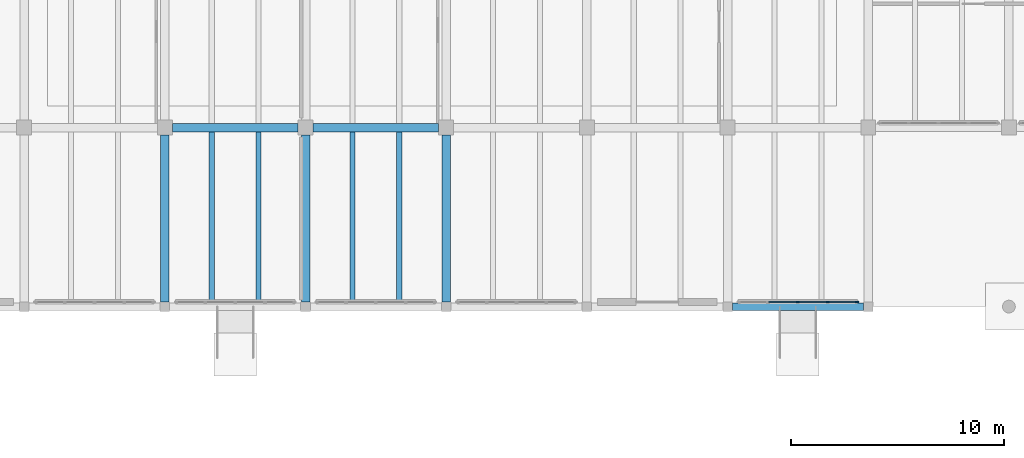
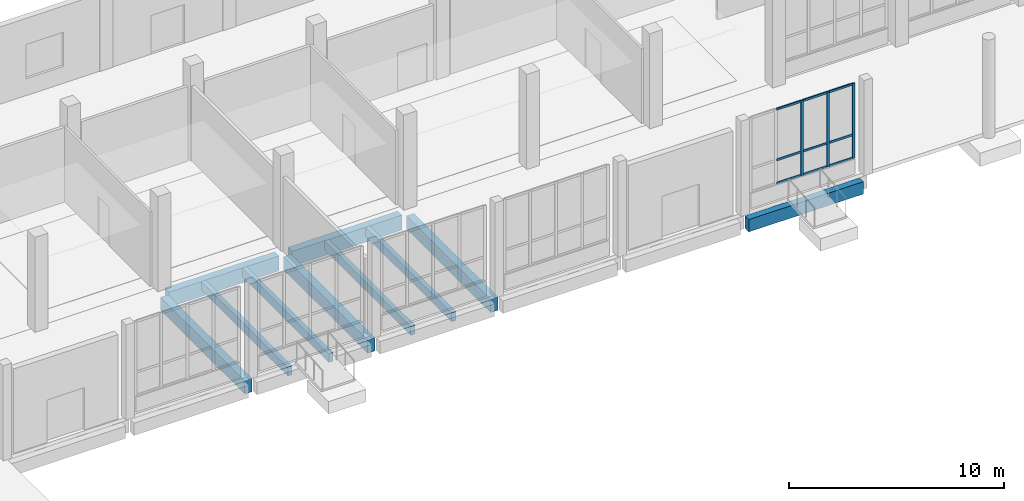
# One storey, part 12 of 64: 12 members, 10 beams, 1 element without a shape of its own.
"""IFC4 building model written with IfcOpenShell, lengths in metres."""

from ifc_helpers import new_model, si_unit, direction, frame, origin, origin_2d, place, context, subcontext, project, spatial, rectangle, extrude, material, material_profile, profile_set, type_object, element, aggregate, save


model = new_model("IFC4")

# Units and contexts
model_context = context("Model", 3, precision=1e-05, world=origin(), true_north=direction((0.0, 1.0)))
body_context = subcontext(model_context, "Body", "Model", "MODEL_VIEW")
ifc_project = project(units=[si_unit("LENGTHUNIT", "METRE"), si_unit("AREAUNIT", "SQUARE_METRE"), si_unit("VOLUMEUNIT", "CUBIC_METRE"), si_unit("PLANEANGLEUNIT", "RADIAN"), si_unit("MASSUNIT", "GRAM", prefix="KILO")], contexts=[model_context])

# Site, building, storey
site_placement = place(None, origin())
site = spatial("IfcSite", under=ifc_project, at=site_placement, CompositionType="ELEMENT")
building_placement = place(site_placement, origin())
building = spatial("IfcBuilding", under=site, at=building_placement, Name="Qaldarim Faculty of Natural and Applied Sciences", CompositionType="ELEMENT")
storey_placement = place(building_placement, origin())
storey = spatial("IfcBuildingStorey", under=building, at=storey_placement, Name="L00", CompositionType="ELEMENT", Elevation=0.0)

# Beams
ifc_material_1 = material(Name="Concrete C40/50", Category="concrete")
ifc_material_profile_1 = material_profile(ifc_material_1, rectangle(XDim=0.239990234375, YDim=0.5, at=origin_2d()), Name="RC-J240x500")
ifc_profile_set_1 = profile_set([ifc_material_profile_1], Name="Concrete C40/50")
beam_type_1 = type_object("IfcBeamType", Name="HeavyJoist-RC240x500", PredefinedType="JOIST", material=ifc_profile_set_1)
for number, where, z_axis, x_axis, name in (
    (1, (68.199951171875, 92.574951171875, -0.610107421875), (0.0, 1.0, 0.0), (-1.0, 0.0, 0.0), "Laboratory joist B01 bay X11Y12-1"),
    (2, (70.39990234375, 92.574951171875, -0.610107421875), (0.0, 1.0, 0.0), (-1.0, 0.0, 0.0), "Laboratory joist B01 bay X11Y12-2"),
    (3, (74.800048828125, 92.574951171875, -0.610107421875), (0.0, 1.0, 0.0), (-1.0, 0.0, 0.0), "Laboratory joist B01 bay X12Y12-1"),
    (4, (77.0, 92.574951171875, -0.610107421875), (0.0, 1.0, 0.0), (-1.0, 0.0, 0.0), "Laboratory joist B01 bay X12Y12-2"),
):
    element("IfcBeam", number, at=place(storey_placement, frame(where, z_axis=z_axis, x_axis=x_axis)), inside=storey, type_object=beam_type_1, Name=name, PredefinedType="JOIST", context=body_context, shape_type="SweptSolid", body=[
        extrude(rectangle(XDim=0.239990234375, YDim=0.5, at=origin_2d()), origin(), (0.0, 0.0, 1.0), 8.025146484375),
    ])
ifc_material_2 = material(Name="Concrete C50/60", Category="concrete")
ifc_material_profile_2 = material_profile(ifc_material_2, rectangle(XDim=0.39990234375, YDim=0.75, at=origin_2d()), Name="RC-B400x750")
ifc_profile_set_2 = profile_set([ifc_material_profile_2], Name="Concrete C50/60")
beam_type_2 = type_object("IfcBeamType", Name="LabGirder-RC400x750", PredefinedType="BEAM", material=ifc_profile_set_2)
for number, where, z_axis, x_axis, name in (
    (5, (66.0, 92.625, -0.735107421875), (0.0, 1.0, 0.0), (-1.0, 0.0, 0.0), "Beam RC-B400x750 B01 X11/Y12-Y13"),
    (6, (72.60009765625, 92.625, -0.735107421875), (0.0, 1.0, 0.0), (-1.0, 0.0, 0.0), "Beam RC-B400x750 B01 X12/Y12-Y13"),
    (7, (79.199951171875, 92.625, -0.735107421875), (0.0, 1.0, 0.0), (-1.0, 0.0, 0.0), "Beam RC-B400x750 B01 X13/Y12-Y13"),
):
    element("IfcBeam", number, at=place(storey_placement, frame(where, z_axis=z_axis, x_axis=x_axis)), inside=storey, type_object=beam_type_2, Name=name, PredefinedType="BEAM", context=body_context, shape_type="SweptSolid", body=[
        extrude(rectangle(XDim=0.39990234375, YDim=0.75, at=origin_2d()), origin(), (0.0, 0.0, 1.0), 7.824951171875),
    ])

# Curtain wall, members
ifc_material_3 = material(Name="Anodised aluminium AW-6063", Category="aluminium")
curtain_wall_type = type_object("IfcCurtainWallType", Name="CurtainWallSystem-M1400", PredefinedType="USERDEFINED", material=ifc_material_3)
curtain_wall_placement = place(storey_placement, origin())
curtain_wall = element("IfcCurtainWall", 8, at=curtain_wall_placement, inside=storey, type_object=curtain_wall_type, Name="Curtain wall CW-V4RIB-L00-X15", ObjectType="STICK CURTAIN WALL", PredefinedType="USERDEFINED")
ifc_material_profile_3 = material_profile(ifc_material_3, rectangle(XDim=0.06005859375, YDim=0.14990234375, at=origin_2d()), Name="ALU-M60x150")
ifc_profile_set_3 = profile_set([ifc_material_profile_3], Name="Anodised aluminium AW-6063")
member_type_1 = type_object("IfcMemberType", Name="Mullion-ALU60x150", PredefinedType="MULLION", material=ifc_profile_set_3)
member_1_placement = place(storey_placement, frame((95.699951171875, 92.6201171875, 0.85009765625), z_axis=(0.0, 0.0, 1.0), x_axis=(0.0, 1.0, 0.0)))
member_1 = element("IfcMember", 9, at=member_1_placement, type_object=member_type_1, Name="Mullion 3 of CW-V4RIB-L00-X15", PredefinedType="MULLION", context=body_context, shape_type="SweptSolid", body=[
    extrude(rectangle(XDim=0.06005859375, YDim=0.14990234375, at=origin_2d()), origin(), (0.0, 0.0, 1.0), 4.25),
])
member_2_placement = place(storey_placement, frame((97.10009765625, 92.6201171875, 0.85009765625), z_axis=(0.0, 0.0, 1.0), x_axis=(0.0, 1.0, 0.0)))
member_2 = element("IfcMember", 10, at=member_2_placement, type_object=member_type_1, Name="Mullion 4 of CW-V4RIB-L00-X15", PredefinedType="MULLION", context=body_context, shape_type="SweptSolid", body=[
    extrude(rectangle(XDim=0.06005859375, YDim=0.14990234375, at=origin_2d()), origin(), (0.0, 0.0, 1.0), 4.25),
])
member_3_placement = place(storey_placement, frame((98.469970703125, 92.6201171875, 0.85009765625), z_axis=(0.0, 0.0, 1.0), x_axis=(0.0, 1.0, 0.0)))
member_3 = element("IfcMember", 11, at=member_3_placement, type_object=member_type_1, Name="Mullion 5 of CW-V4RIB-L00-X15", PredefinedType="MULLION", context=body_context, shape_type="SweptSolid", body=[
    extrude(rectangle(XDim=0.06005859375, YDim=0.14990234375, at=origin_2d()), origin(), (0.0, 0.0, 1.0), 4.25),
])

# Beams
ifc_material_profile_4 = material_profile(ifc_material_2, rectangle(XDim=0.39990234375, YDim=0.85009765625, at=origin_2d()), Name="RC-B400x850")
ifc_profile_set_4 = profile_set([ifc_material_profile_4], Name="Concrete C50/60")
beam_type_3 = type_object("IfcBeamType", Name="PodiumGirder-RC400x850", PredefinedType="BEAM", material=ifc_profile_set_4)
beam_1_placement = place(storey_placement, frame((66.35009765625, 100.800048828125, -0.784912109375), z_axis=(1.0, 0.0, 0.0), x_axis=(0.0, 1.0, 0.0)))
element("IfcBeam", 12, at=beam_1_placement, inside=storey, type_object=beam_type_3, Name="Beam RC-B400x850 B01 X11-X12/Y13", PredefinedType="BEAM", context=body_context, shape_type="SweptSolid", body=[
    extrude(rectangle(XDim=0.39990234375, YDim=0.85009765625, at=origin_2d()), origin(), (0.0, 0.0, 1.0), 5.89990234375),
])
beam_2_placement = place(storey_placement, frame((72.949951171875, 100.800048828125, -0.784912109375), z_axis=(1.0, 0.0, 0.0), x_axis=(0.0, 1.0, 0.0)))
element("IfcBeam", 13, at=beam_2_placement, inside=storey, type_object=beam_type_3, Name="Beam RC-B400x850 B01 X12-X13/Y13", PredefinedType="BEAM", context=body_context, shape_type="SweptSolid", body=[
    extrude(rectangle(XDim=0.39990234375, YDim=0.85009765625, at=origin_2d()), origin(), (0.0, 0.0, 1.0), 5.900146484375),
])
ifc_material_profile_5 = material_profile(ifc_material_1, rectangle(XDim=0.35009765625, YDim=0.699951171875, at=origin_2d()), Name="RC-B350x700")
ifc_profile_set_5 = profile_set([ifc_material_profile_5], Name="Concrete C40/50")
beam_type_4 = type_object("IfcBeamType", Name="PrimaryGirder-RC350x700", PredefinedType="BEAM", material=ifc_profile_set_5)
beam_3_placement = place(storey_placement, frame((92.625, 92.39990234375, -0.7099609375), z_axis=(1.0, 0.0, 0.0), x_axis=(0.0, 1.0, 0.0)))
element("IfcBeam", 14, at=beam_3_placement, inside=storey, type_object=beam_type_4, Name="Beam RC-B350x700 B01 X15-X16/Y12", PredefinedType="BEAM", context=body_context, shape_type="SweptSolid", body=[
    extrude(rectangle(XDim=0.35009765625, YDim=0.699951171875, at=origin_2d()), origin(), (0.0, 0.0, 1.0), 6.14990234375),
])

# Member
ifc_material_profile_6 = material_profile(ifc_material_3, rectangle(XDim=0.06005859375, YDim=0.1201171875, at=origin_2d()), Name="ALU-T60x120")
ifc_profile_set_6 = profile_set([ifc_material_profile_6], Name="Anodised aluminium AW-6063")
member_type_2 = type_object("IfcMemberType", Name="Transom-ALU60x120", PredefinedType="USERDEFINED", material=ifc_profile_set_6)
member_4_placement = place(storey_placement, frame((94.330078125, 92.6201171875, 0.8798828125), z_axis=(1.0, 0.0, 0.0), x_axis=(0.0, 1.0, 0.0)))
member_4 = element("IfcMember", 15, at=member_4_placement, type_object=member_type_2, Name="Transom 2-1 of CW-V4RIB-L00-X15", ObjectType="TRANSOM", PredefinedType="USERDEFINED", context=body_context, shape_type="SweptSolid", body=[
    extrude(rectangle(XDim=0.06005859375, YDim=0.1201171875, at=origin_2d()), origin(), (0.0, 0.0, 1.0), 1.33984375),
])

member_5_placement = place(storey_placement, frame((94.330078125, 92.6201171875, 2.199951171875), z_axis=(1.0, 0.0, 0.0), x_axis=(0.0, 1.0, 0.0)))
member_5 = element("IfcMember", 16, at=member_5_placement, type_object=member_type_2, Name="Transom 2-2 of CW-V4RIB-L00-X15", ObjectType="TRANSOM", PredefinedType="USERDEFINED", context=body_context, shape_type="SweptSolid", body=[
    extrude(rectangle(XDim=0.06005859375, YDim=0.1201171875, at=origin_2d()), origin(), (0.0, 0.0, 1.0), 1.33984375),
])

member_6_placement = place(storey_placement, frame((94.330078125, 92.6201171875, 5.070068359375), z_axis=(1.0, 0.0, 0.0), x_axis=(0.0, 1.0, 0.0)))
member_6 = element("IfcMember", 17, at=member_6_placement, type_object=member_type_2, Name="Transom 2-3 of CW-V4RIB-L00-X15", ObjectType="TRANSOM", PredefinedType="USERDEFINED", context=body_context, shape_type="SweptSolid", body=[
    extrude(rectangle(XDim=0.06005859375, YDim=0.1201171875, at=origin_2d()), origin(), (0.0, 0.0, 1.0), 1.33984375),
])

member_7_placement = place(storey_placement, frame((95.72998046875, 92.6201171875, 0.8798828125), z_axis=(1.0, 0.0, 0.0), x_axis=(0.0, 1.0, 0.0)))
member_7 = element("IfcMember", 18, at=member_7_placement, type_object=member_type_2, Name="Transom 3-1 of CW-V4RIB-L00-X15", ObjectType="TRANSOM", PredefinedType="USERDEFINED", context=body_context, shape_type="SweptSolid", body=[
    extrude(rectangle(XDim=0.06005859375, YDim=0.1201171875, at=origin_2d()), origin(), (0.0, 0.0, 1.0), 1.340087890625),
])

member_8_placement = place(storey_placement, frame((95.72998046875, 92.6201171875, 2.199951171875), z_axis=(1.0, 0.0, 0.0), x_axis=(0.0, 1.0, 0.0)))
member_8 = element("IfcMember", 19, at=member_8_placement, type_object=member_type_2, Name="Transom 3-2 of CW-V4RIB-L00-X15", ObjectType="TRANSOM", PredefinedType="USERDEFINED", context=body_context, shape_type="SweptSolid", body=[
    extrude(rectangle(XDim=0.06005859375, YDim=0.1201171875, at=origin_2d()), origin(), (0.0, 0.0, 1.0), 1.340087890625),
])

member_9_placement = place(storey_placement, frame((95.72998046875, 92.6201171875, 5.070068359375), z_axis=(1.0, 0.0, 0.0), x_axis=(0.0, 1.0, 0.0)))
member_9 = element("IfcMember", 20, at=member_9_placement, type_object=member_type_2, Name="Transom 3-3 of CW-V4RIB-L00-X15", ObjectType="TRANSOM", PredefinedType="USERDEFINED", context=body_context, shape_type="SweptSolid", body=[
    extrude(rectangle(XDim=0.06005859375, YDim=0.1201171875, at=origin_2d()), origin(), (0.0, 0.0, 1.0), 1.340087890625),
])

member_10_placement = place(storey_placement, frame((97.1298828125, 92.6201171875, 0.8798828125), z_axis=(1.0, 0.0, 0.0), x_axis=(0.0, 1.0, 0.0)))
member_10 = element("IfcMember", 21, at=member_10_placement, type_object=member_type_2, Name="Transom 4-1 of CW-V4RIB-L00-X15", ObjectType="TRANSOM", PredefinedType="USERDEFINED", context=body_context, shape_type="SweptSolid", body=[
    extrude(rectangle(XDim=0.06005859375, YDim=0.1201171875, at=origin_2d()), origin(), (0.0, 0.0, 1.0), 1.31005859375),
])

member_11_placement = place(storey_placement, frame((97.1298828125, 92.6201171875, 2.199951171875), z_axis=(1.0, 0.0, 0.0), x_axis=(0.0, 1.0, 0.0)))
member_11 = element("IfcMember", 22, at=member_11_placement, type_object=member_type_2, Name="Transom 4-2 of CW-V4RIB-L00-X15", ObjectType="TRANSOM", PredefinedType="USERDEFINED", context=body_context, shape_type="SweptSolid", body=[
    extrude(rectangle(XDim=0.06005859375, YDim=0.1201171875, at=origin_2d()), origin(), (0.0, 0.0, 1.0), 1.31005859375),
])

member_12_placement = place(storey_placement, frame((97.1298828125, 92.6201171875, 5.070068359375), z_axis=(1.0, 0.0, 0.0), x_axis=(0.0, 1.0, 0.0)))
member_12 = element("IfcMember", 23, at=member_12_placement, type_object=member_type_2, Name="Transom 4-3 of CW-V4RIB-L00-X15", ObjectType="TRANSOM", PredefinedType="USERDEFINED", context=body_context, shape_type="SweptSolid", body=[
    extrude(rectangle(XDim=0.06005859375, YDim=0.1201171875, at=origin_2d()), origin(), (0.0, 0.0, 1.0), 1.31005859375),
])

aggregate(curtain_wall, [member_1, member_2, member_3, member_4, member_5, member_6, member_7, member_8, member_9, member_10, member_11, member_12])

save(model, "model.ifc")
